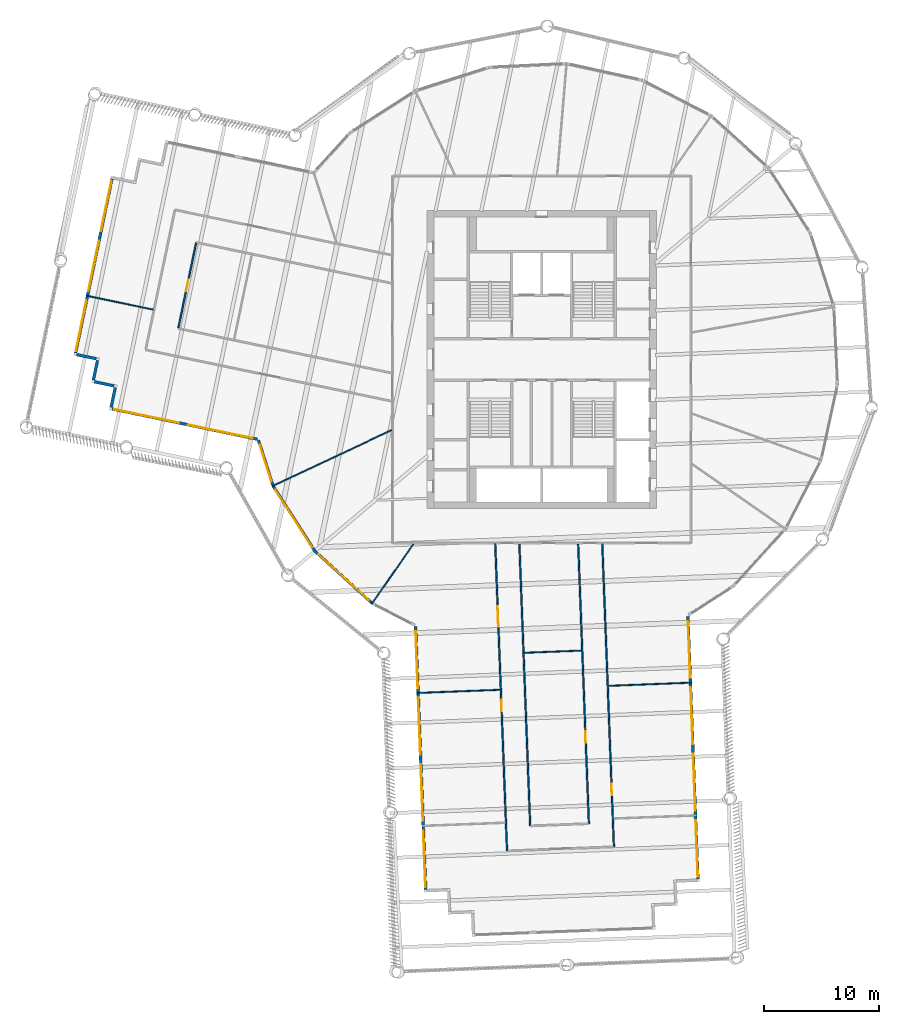
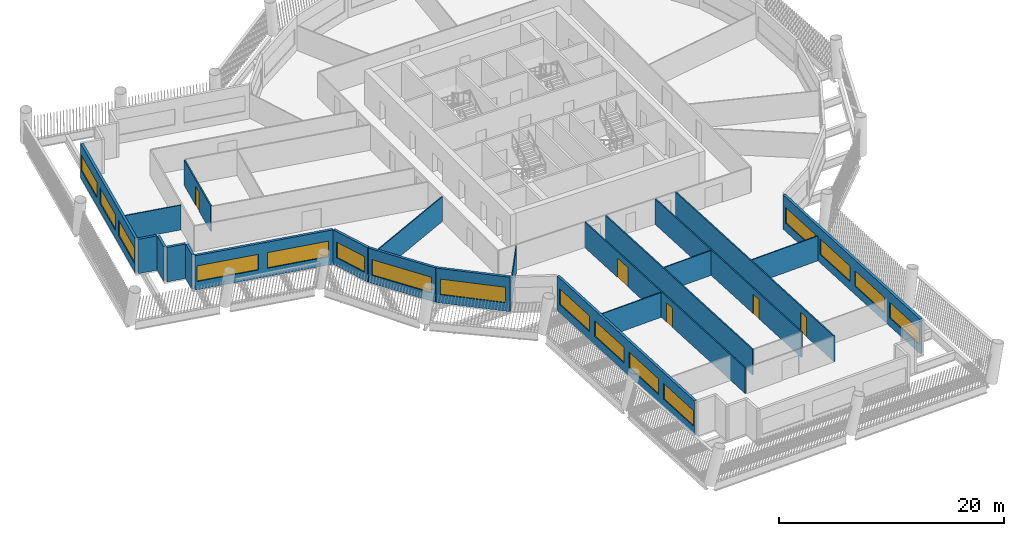
# One storey, part 3 of 14: 22 walls, 16 windows, 5 doors, 21 openings.
"""IFC4 building model written with IfcOpenShell, lengths in metres."""

from ifc_helpers import new_model, si_unit, direction, frame, frame_2d, origin, place, context, subcontext, project, spatial, rectangle, extrude, material, layer, layer_set, type_object, element, fill, save


model = new_model("IFC4")

# Units and contexts
model_context = context("Model", 3, precision=1e-05, world=origin(), true_north=direction((0.0, 1.0)))
body_context = subcontext(model_context, "Body", "Model", "MODEL_VIEW")
ifc_project = project(units=[si_unit("LENGTHUNIT", "METRE"), si_unit("AREAUNIT", "SQUARE_METRE"), si_unit("VOLUMEUNIT", "CUBIC_METRE"), si_unit("PLANEANGLEUNIT", "RADIAN"), si_unit("MASSUNIT", "GRAM", prefix="KILO")], contexts=[model_context])

# Site, building, storey
site_placement = place(None, origin())
site = spatial("IfcSite", under=ifc_project, at=site_placement, CompositionType="ELEMENT")
building_placement = place(site_placement, origin())
building = spatial("IfcBuilding", under=site, at=building_placement, Name="Tarsis Ring Headquarters", CompositionType="ELEMENT")
storey_placement = place(building_placement, frame((0.0, 0.0, 235.5)))
storey = spatial("IfcBuildingStorey", under=building, at=storey_placement, Name="L55", CompositionType="ELEMENT", Elevation=235.5)

# Walls
ifc_material_1 = material(Name="Gypsum board on steel studs", Category="steel")
ifc_layer_1 = layer(ifc_material_1, 0.10009765625)
ifc_layer_set_1 = layer_set([ifc_layer_1], Name="FL partition 100 unrated")
wall_type_1 = type_object("IfcWallType", Name="FL partition 100 unrated", PredefinedType="PARTITIONING", material=ifc_layer_set_1)
wall_1_placement = place(storey_placement, frame((-23.478271484375, -11.048095703125, 0.0), z_axis=(0.0, 0.0, 1.0), x_axis=(0.904822069945, 0.425789879801, 0.0)))
element("IfcWall", 1, at=wall_1_placement, inside=storey, type_object=wall_type_1, Name="Partition PW3", PredefinedType="PARTITIONING", context=body_context, shape_type="SweptSolid", body=[
    extrude(rectangle(XDim=11.500244140625, YDim=0.10009765625, at=frame_2d((5.75, 0.0))), origin(), (0.0, 0.0, 1.0), 2.699951171875),
])
for number, where, z_axis, x_axis, name in (
    (2, (5.825927734375, -28.437255859375, 0.0), (0.0, 0.0, 1.0), (0.999263221085, 0.038379877362, 0.0), "Partition PW3"),
    (3, (-10.842529296875, -29.0576171875, 0.0), (0.0, 0.0, 1.0), (0.999263221085, 0.038379877362, 0.0), "Partition PW3"),
):
    element("IfcWall", number, at=place(storey_placement, frame(where, z_axis=z_axis, x_axis=x_axis)), inside=storey, type_object=wall_type_1, Name=name, PredefinedType="PARTITIONING", context=body_context, shape_type="SweptSolid", body=[
        extrude(rectangle(XDim=7.219970703125, YDim=0.10009765625, at=frame_2d((3.60986328125, 0.0))), origin(), (0.0, 0.0, 1.0), 2.699951171875),
    ])
wall_2_placement = place(storey_placement, frame((-14.808837890625, -21.30712890625, 0.0), z_axis=(0.0, 0.0, 1.0), x_axis=(0.570693452675, 0.821163189064, 0.0)))
element("IfcWall", 4, at=wall_2_placement, inside=storey, type_object=wall_type_1, Name="Partition PW3", PredefinedType="PARTITIONING", context=body_context, shape_type="SweptSolid", body=[
    extrude(rectangle(XDim=6.363037109375, YDim=0.10009765625, at=frame_2d((3.181640625, 0.0))), origin(), (0.0, 0.0, 1.0), 2.699951171875),
])
wall_3_placement = place(storey_placement, frame((-39.65185546875, 5.555908203125, 0.0), z_axis=(0.0, 0.0, 1.0), x_axis=(0.978876166419, -0.204454031058, 0.0)))
element("IfcWall", 5, at=wall_3_placement, inside=storey, type_object=wall_type_1, Name="Partition PW3", PredefinedType="PARTITIONING", context=body_context, shape_type="SweptSolid", body=[
    extrude(rectangle(XDim=5.929931640625, YDim=0.10009765625, at=frame_2d((2.96484375, 0.0))), origin(), (0.0, 0.0, 1.0), 2.699951171875),
])
wall_4_placement = place(storey_placement, frame((-1.510009765625, -25.556884765625, 0.0), z_axis=(0.0, 0.0, 1.0), x_axis=(0.999261102216, 0.038435004864, 0.0)))
element("IfcWall", 6, at=wall_4_placement, inside=storey, type_object=wall_type_1, Name="Partition PW3", PredefinedType="PARTITIONING", context=body_context, shape_type="SweptSolid", body=[
    extrude(rectangle(XDim=4.97998046875, YDim=0.10009765625, at=frame_2d((2.489990234375, 0.0))), origin(), (0.0, 0.0, 1.0), 2.699951171875),
])

# Wall, openings, doors
ifc_layer_2 = layer(ifc_material_1, 0.125)
ifc_layer_set_2 = layer_set([ifc_layer_2], Name="FL partition 125 EI 60 H2770")
wall_type_2 = type_object("IfcWallType", Name="FL partition 125 EI 60 H2770", PredefinedType="PARTITIONING", material=ifc_layer_set_2)
wall_5_placement = place(storey_placement, frame((-4.048828125, -16.0, 0.0), z_axis=(0.0, 0.0, 1.0), x_axis=(0.038389799939, -0.999262839928, 0.0)))
wall_5 = element("IfcWall", 7, at=wall_5_placement, inside=storey, type_object=wall_type_2, Name="Partition PW1", PredefinedType="PARTITIONING", context=body_context, shape_type="SweptSolid", body=[
    extrude(rectangle(XDim=26.837158203125, YDim=0.125, at=frame_2d((13.41845703125, 0.0))), origin(), (0.0, 0.0, 1.0), 2.77001953125),
])
opening_1_placement = place(wall_5_placement, frame((13.675537109375, 0.0, 0.0)))
opening_1 = element("IfcOpeningElement", 8, at=opening_1_placement, cuts=wall_5, Name="Opening D55.12", PredefinedType="OPENING", context=body_context, shape_type="SweptSolid", body=[
    extrude(rectangle(XDim=1.0, YDim=2.10009765625, at=frame_2d((0.5, 1.050048828125))), frame((0.0, 0.072509765625, 0.0), z_axis=(0.0, -1.0, 0.0), x_axis=(1.0, 0.0, 0.0)), (0.0, 0.0, 1.0), 0.14501953125),
])
opening_2_placement = place(wall_5_placement, frame((5.494140625, 0.0, 0.0)))
opening_2 = element("IfcOpeningElement", 9, at=opening_2_placement, cuts=wall_5, Name="Opening D55.13", PredefinedType="OPENING", context=body_context, shape_type="SweptSolid", body=[
    extrude(rectangle(XDim=1.800048828125, YDim=2.10009765625, at=frame_2d((0.89990234375, 1.050048828125))), frame((0.0, 0.072509765625, 0.0), z_axis=(0.0, -1.0, 0.0), x_axis=(1.0, 0.0, 0.0)), (0.0, 0.0, 1.0), 0.14501953125),
])
ifc_material_2 = material(Name="Fire-rated timber door leaf in steel frame", Category="steel")
door_type_1 = type_object("IfcDoorType", Name="FL door FD60-1000", OperationType="NOTDEFINED", PredefinedType="DOOR", material=ifc_material_2)
door_1_placement = place(opening_1_placement, origin())
door_1 = element("IfcDoor", 10, at=door_1_placement, inside=storey, type_object=door_type_1, Name="Door D55.12", OperationType="SINGLE_SWING_LEFT", OverallHeight=2.10009765625, OverallWidth=1.0, PredefinedType="DOOR", context=body_context, shape_type="SweptSolid", body=[
    extrude(rectangle(XDim=1.0, YDim=2.10009765625, at=frame_2d((0.5, 1.050048828125))), frame((0.0, 0.02490234375, 0.0), z_axis=(0.0, -1.0, 0.0), x_axis=(1.0, 0.0, 0.0)), (0.0, 0.0, 1.0), 0.050048828125),
])
fill(opening_1, door_1)
door_type_2 = type_object("IfcDoorType", Name="FL door FD60-1800", OperationType="DOUBLE_DOOR_SINGLE_SWING", PredefinedType="DOOR", material=ifc_material_2)
door_2_placement = place(opening_2_placement, origin())
door_2 = element("IfcDoor", 11, at=door_2_placement, inside=storey, type_object=door_type_2, Name="Door D55.13", OperationType="DOUBLE_DOOR_SINGLE_SWING", OverallHeight=2.10009765625, OverallWidth=1.800048828125, PredefinedType="DOOR", context=body_context, shape_type="SweptSolid", body=[
    extrude(rectangle(XDim=1.800048828125, YDim=2.10009765625, at=frame_2d((0.89990234375, 1.050048828125))), frame((0.0, 0.02490234375, 0.0), z_axis=(0.0, -1.0, 0.0), x_axis=(1.0, 0.0, 0.0)), (0.0, 0.0, 1.0), 0.050048828125),
])
fill(opening_2, door_2)

# Wall, opening, door
wall_6_placement = place(storey_placement, frame((5.278076171875, -16.0, 0.0), z_axis=(0.0, 0.0, 1.0), x_axis=(0.038392401197, -0.999262739989, 0.0)))
wall_6 = element("IfcWall", 12, at=wall_6_placement, inside=storey, type_object=wall_type_2, Name="Partition PW1", PredefinedType="PARTITIONING", context=body_context, shape_type="SweptSolid", body=[
    extrude(rectangle(XDim=26.479248046875, YDim=0.125, at=frame_2d((13.23974609375, 0.0))), origin(), (0.0, 0.0, 1.0), 2.77001953125),
])
opening_3_placement = place(wall_6_placement, frame((20.969482421875, 0.0, 0.0)))
opening_3 = element("IfcOpeningElement", 13, at=opening_3_placement, cuts=wall_6, Name="Opening D55.10", PredefinedType="OPENING", context=body_context, shape_type="SweptSolid", body=[
    extrude(rectangle(XDim=1.0, YDim=2.10009765625, at=frame_2d((0.5, 1.050048828125))), frame((0.0, 0.072509765625, 0.0), z_axis=(0.0, -1.0, 0.0), x_axis=(1.0, 0.0, 0.0)), (0.0, 0.0, 1.0), 0.14501953125),
])
door_3_placement = place(opening_3_placement, origin())
door_3 = element("IfcDoor", 14, at=door_3_placement, inside=storey, type_object=door_type_1, Name="Door D55.10", OperationType="SINGLE_SWING_LEFT", OverallHeight=2.10009765625, OverallWidth=1.0, PredefinedType="DOOR", context=body_context, shape_type="SweptSolid", body=[
    extrude(rectangle(XDim=1.0, YDim=2.10009765625, at=frame_2d((0.5, 1.050048828125))), frame((0.0, 0.02490234375, 0.0), z_axis=(0.0, -1.0, 0.0), x_axis=(1.0, 0.0, 0.0)), (0.0, 0.0, 1.0), 0.050048828125),
])
fill(opening_3, door_3)

# Wall
wall_7_placement = place(storey_placement, frame((-1.944580078125, -16.06982421875, 0.0), z_axis=(0.0, 0.0, 1.0), x_axis=(0.038388504085, -0.999262889711, 0.0)))
element("IfcWall", 15, at=wall_7_placement, inside=storey, type_object=wall_type_2, Name="Partition PW1", PredefinedType="PARTITIONING", context=body_context, shape_type="SweptSolid", body=[
    extrude(rectangle(XDim=24.586669921875, YDim=0.125, at=frame_2d((12.29345703125, 0.0))), origin(), (0.0, 0.0, 1.0), 2.77001953125),
])

# Wall, opening, door
wall_8_placement = place(storey_placement, frame((3.17919921875, -16.06982421875, 0.0), z_axis=(0.0, 0.0, 1.0), x_axis=(0.038387759864, -0.999262918302, 0.0)))
wall_8 = element("IfcWall", 16, at=wall_8_placement, inside=storey, type_object=wall_type_2, Name="Partition PW1", PredefinedType="PARTITIONING", context=body_context, shape_type="SweptSolid", body=[
    extrude(rectangle(XDim=24.39013671875, YDim=0.125, at=frame_2d((12.195068359375, 0.0))), origin(), (0.0, 0.0, 1.0), 2.77001953125),
])
opening_4_placement = place(wall_8_placement, frame((16.3466796875, 0.0, 0.0)))
opening_4 = element("IfcOpeningElement", 17, at=opening_4_placement, cuts=wall_8, Name="Opening D55.18", PredefinedType="OPENING", context=body_context, shape_type="SweptSolid", body=[
    extrude(rectangle(XDim=1.0, YDim=2.10009765625, at=frame_2d((0.5, 1.050048828125))), frame((0.0, 0.072509765625, 0.0), z_axis=(0.0, -1.0, 0.0), x_axis=(1.0, 0.0, 0.0)), (0.0, 0.0, 1.0), 0.14501953125),
])
door_4_placement = place(opening_4_placement, origin())
door_4 = element("IfcDoor", 18, at=door_4_placement, inside=storey, type_object=door_type_1, Name="Door D55.18", OperationType="SINGLE_SWING_LEFT", OverallHeight=2.10009765625, OverallWidth=1.0, PredefinedType="DOOR", context=body_context, shape_type="SweptSolid", body=[
    extrude(rectangle(XDim=1.0, YDim=2.10009765625, at=frame_2d((0.5, 1.050048828125))), frame((0.0, 0.02490234375, 0.0), z_axis=(0.0, -1.0, 0.0), x_axis=(1.0, 0.0, 0.0)), (0.0, 0.0, 1.0), 0.050048828125),
])
fill(opening_4, door_4)

wall_9_placement = place(storey_placement, frame((-31.654296875, 2.761474609375, 0.0), z_axis=(0.0, 0.0, 1.0), x_axis=(0.204508929098, 0.978864698474, 0.0)))
wall_9 = element("IfcWall", 19, at=wall_9_placement, inside=storey, type_object=wall_type_2, Name="Partition PW1", PredefinedType="PARTITIONING", context=body_context, shape_type="SweptSolid", body=[
    extrude(rectangle(XDim=7.5400390625, YDim=0.125, at=frame_2d((3.77001953125, 0.0))), origin(), (0.0, 0.0, 1.0), 2.77001953125),
])
opening_5_placement = place(wall_9_placement, frame((3.27001953125, 0.0, 0.0)))
opening_5 = element("IfcOpeningElement", 20, at=opening_5_placement, cuts=wall_9, Name="Opening D55.16", PredefinedType="OPENING", context=body_context, shape_type="SweptSolid", body=[
    extrude(rectangle(XDim=1.0, YDim=2.10009765625, at=frame_2d((0.5, 1.050048828125))), frame((0.0, 0.072509765625, 0.0), z_axis=(0.0, -1.0, 0.0), x_axis=(1.0, 0.0, 0.0)), (0.0, 0.0, 1.0), 0.14501953125),
])
door_5_placement = place(opening_5_placement, origin())
door_5 = element("IfcDoor", 21, at=door_5_placement, inside=storey, type_object=door_type_1, Name="Door D55.16", OperationType="SINGLE_SWING_LEFT", OverallHeight=2.10009765625, OverallWidth=1.0, PredefinedType="DOOR", context=body_context, shape_type="SweptSolid", body=[
    extrude(rectangle(XDim=1.0, YDim=2.10009765625, at=frame_2d((0.5, 1.050048828125))), frame((0.0, 0.02490234375, 0.0), z_axis=(0.0, -1.0, 0.0), x_axis=(1.0, 0.0, 0.0)), (0.0, 0.0, 1.0), 0.050048828125),
])
fill(opening_5, door_5)

# Wall, openings, windows
ifc_material_3 = material(Name="Terracotta clad insulated panel wall", Category="masonry")
ifc_layer_3 = layer(ifc_material_3, 0.25)
ifc_layer_set_3 = layer_set([ifc_layer_3], Name="Facade wall terracotta panel 250")
wall_type_3 = type_object("IfcWallType", Name="Facade wall terracotta panel 250", PredefinedType="STANDARD", material=ifc_layer_set_3)
wall_10_placement = place(storey_placement, frame((-37.4228515625, -4.313232421875, 0.0), z_axis=(0.0, 0.0, 1.0), x_axis=(0.978866151728, -0.2045019731, 0.0)))
wall_10 = element("IfcWall", 22, at=wall_10_placement, inside=storey, type_object=wall_type_3, Name="External wall L55-01", PredefinedType="STANDARD", context=body_context, shape_type="SweptSolid", body=[
    extrude(rectangle(XDim=12.922119140625, YDim=0.25, at=frame_2d((6.4609375, 0.0))), origin(), (0.0, 0.0, 1.0), 3.739990234375),
])
opening_6_placement = place(wall_10_placement, frame((0.16796875, 0.0, 0.89990234375)))
opening_6 = element("IfcOpeningElement", 23, at=opening_6_placement, cuts=wall_10, Name="Opening WN06", PredefinedType="OPENING", context=body_context, shape_type="SweptSolid", body=[
    extrude(rectangle(XDim=5.75, YDim=1.699951171875, at=frame_2d((2.875, 0.85009765625))), frame((0.0, 0.135009765625, 0.0), z_axis=(0.0, -1.0, 0.0), x_axis=(1.0, 0.0, 0.0)), (0.0, 0.0, 1.0), 0.27001953125),
])
opening_7_placement = place(wall_10_placement, frame((6.75390625, 0.0, 0.89990234375)))
opening_7 = element("IfcOpeningElement", 24, at=opening_7_placement, cuts=wall_10, Name="Opening WN06", PredefinedType="OPENING", context=body_context, shape_type="SweptSolid", body=[
    extrude(rectangle(XDim=5.75, YDim=1.699951171875, at=frame_2d((2.875, 0.85009765625))), frame((0.0, 0.135009765625, 0.0), z_axis=(0.0, -1.0, 0.0), x_axis=(1.0, 0.0, 0.0)), (0.0, 0.0, 1.0), 0.27001953125),
])
ifc_material_4 = material(Name="Aluminium framed double glazing", Category="aluminium")
window_type_1 = type_object("IfcWindowType", Name="Facade window 5750 x 1700", PartitioningType="SINGLE_PANEL", PredefinedType="WINDOW", material=ifc_material_4)
window_1_placement = place(opening_6_placement, origin())
window_1 = element("IfcWindow", 25, at=window_1_placement, inside=storey, type_object=window_type_1, Name="Window L55-01.1", OverallHeight=1.699951171875, OverallWidth=5.75, PartitioningType="SINGLE_PANEL", PredefinedType="WINDOW", context=body_context, shape_type="SweptSolid", body=[
    extrude(rectangle(XDim=5.75, YDim=1.699951171875, at=frame_2d((2.875, 0.85009765625))), frame((0.0, 0.030029296875, 0.0), z_axis=(0.0, -1.0, 0.0), x_axis=(1.0, 0.0, 0.0)), (0.0, 0.0, 1.0), 0.06005859375),
])
fill(opening_6, window_1)
window_2_placement = place(opening_7_placement, origin())
window_2 = element("IfcWindow", 26, at=window_2_placement, inside=storey, type_object=window_type_1, Name="Window L55-01.2", OverallHeight=1.699951171875, OverallWidth=5.75, PartitioningType="SINGLE_PANEL", PredefinedType="WINDOW", context=body_context, shape_type="SweptSolid", body=[
    extrude(rectangle(XDim=5.75, YDim=1.699951171875, at=frame_2d((2.875, 0.85009765625))), frame((0.0, 0.030029296875, 0.0), z_axis=(0.0, -1.0, 0.0), x_axis=(1.0, 0.0, 0.0)), (0.0, 0.0, 1.0), 0.06005859375),
])
fill(opening_7, window_2)

# Wall, opening, window
wall_11_placement = place(storey_placement, frame((-24.680419921875, -7.040283203125, 0.0), z_axis=(0.0, 0.0, 1.0), x_axis=(0.30401069135, -0.952668620006, 0.0)))
wall_11 = element("IfcWall", 27, at=wall_11_placement, inside=storey, type_object=wall_type_3, Name="External wall L55-02", PredefinedType="STANDARD", context=body_context, shape_type="SweptSolid", body=[
    extrude(rectangle(XDim=4.157470703125, YDim=0.25, at=frame_2d((2.07861328125, 0.0))), origin(), (0.0, 0.0, 1.0), 3.739990234375),
])
opening_8_placement = place(wall_11_placement, frame((0.420166015625, 0.0, 0.89990234375)))
opening_8 = element("IfcOpeningElement", 28, at=opening_8_placement, cuts=wall_11, Name="Opening WN01", PredefinedType="OPENING", context=body_context, shape_type="SweptSolid", body=[
    extrude(rectangle(XDim=3.35009765625, YDim=1.699951171875, at=frame_2d((1.675048828125, 0.85009765625))), frame((0.0, 0.135009765625, 0.0), z_axis=(0.0, -1.0, 0.0), x_axis=(1.0, 0.0, 0.0)), (0.0, 0.0, 1.0), 0.27001953125),
])
window_type_2 = type_object("IfcWindowType", Name="Facade window 3350 x 1700", PartitioningType="SINGLE_PANEL", PredefinedType="WINDOW", material=ifc_material_4)
window_3_placement = place(opening_8_placement, origin())
window_3 = element("IfcWindow", 29, at=window_3_placement, inside=storey, type_object=window_type_2, Name="Window L55-02.1", OverallHeight=1.699951171875, OverallWidth=3.35009765625, PartitioningType="SINGLE_PANEL", PredefinedType="WINDOW", context=body_context, shape_type="SweptSolid", body=[
    extrude(rectangle(XDim=3.35009765625, YDim=1.699951171875, at=frame_2d((1.675048828125, 0.85009765625))), frame((0.0, 0.030029296875, 0.0), z_axis=(0.0, -1.0, 0.0), x_axis=(1.0, 0.0, 0.0)), (0.0, 0.0, 1.0), 0.06005859375),
])
fill(opening_8, window_3)

wall_12_placement = place(storey_placement, frame((-23.402587890625, -11.030517578125, 0.0), z_axis=(0.0, 0.0, 1.0), x_axis=(0.54025082343, -0.841504039077, 0.0)))
wall_12 = element("IfcWall", 30, at=wall_12_placement, inside=storey, type_object=wall_type_3, Name="External wall L55-03", PredefinedType="STANDARD", context=body_context, shape_type="SweptSolid", body=[
    extrude(rectangle(XDim=6.7216796875, YDim=0.25, at=frame_2d((3.36083984375, 0.0))), origin(), (0.0, 0.0, 1.0), 3.739990234375),
])
opening_9_placement = place(wall_12_placement, frame((0.3857421875, 0.0, 0.89990234375)))
opening_9 = element("IfcOpeningElement", 31, at=opening_9_placement, cuts=wall_12, Name="Opening WN07", PredefinedType="OPENING", context=body_context, shape_type="SweptSolid", body=[
    extrude(rectangle(XDim=5.949951171875, YDim=1.699951171875, at=frame_2d((2.97509765625, 0.85009765625))), frame((0.0, 0.135009765625, 0.0), z_axis=(0.0, -1.0, 0.0), x_axis=(1.0, 0.0, 0.0)), (0.0, 0.0, 1.0), 0.27001953125),
])
window_type_3 = type_object("IfcWindowType", Name="Facade window 5950 x 1700", PartitioningType="SINGLE_PANEL", PredefinedType="WINDOW", material=ifc_material_4)
window_4_placement = place(opening_9_placement, origin())
window_4 = element("IfcWindow", 32, at=window_4_placement, inside=storey, type_object=window_type_3, Name="Window L55-03.1", OverallHeight=1.699951171875, OverallWidth=5.949951171875, PartitioningType="SINGLE_PANEL", PredefinedType="WINDOW", context=body_context, shape_type="SweptSolid", body=[
    extrude(rectangle(XDim=5.949951171875, YDim=1.699951171875, at=frame_2d((2.97509765625, 0.85009765625))), frame((0.0, 0.030029296875, 0.0), z_axis=(0.0, -1.0, 0.0), x_axis=(1.0, 0.0, 0.0)), (0.0, 0.0, 1.0), 0.06005859375),
])
fill(opening_9, window_4)

wall_13_placement = place(storey_placement, frame((-19.750244140625, -16.711669921875, 0.0), z_axis=(0.0, 0.0, 1.0), x_axis=(0.739629365562, -0.673014414109, 0.0)))
wall_13 = element("IfcWall", 33, at=wall_13_placement, inside=storey, type_object=wall_type_3, Name="External wall L55-04", PredefinedType="STANDARD", context=body_context, shape_type="SweptSolid", body=[
    extrude(rectangle(XDim=6.721435546875, YDim=0.25, at=frame_2d((3.36083984375, 0.0))), origin(), (0.0, 0.0, 1.0), 3.739990234375),
])
opening_10_placement = place(wall_13_placement, frame((0.3857421875, 0.0, 0.89990234375)))
opening_10 = element("IfcOpeningElement", 34, at=opening_10_placement, cuts=wall_13, Name="Opening WN07", PredefinedType="OPENING", context=body_context, shape_type="SweptSolid", body=[
    extrude(rectangle(XDim=5.949951171875, YDim=1.699951171875, at=frame_2d((2.97509765625, 0.85009765625))), frame((0.0, 0.135009765625, 0.0), z_axis=(0.0, -1.0, 0.0), x_axis=(1.0, 0.0, 0.0)), (0.0, 0.0, 1.0), 0.27001953125),
])
window_5_placement = place(opening_10_placement, origin())
window_5 = element("IfcWindow", 35, at=window_5_placement, inside=storey, type_object=window_type_3, Name="Window L55-04.1", OverallHeight=1.699951171875, OverallWidth=5.949951171875, PartitioningType="SINGLE_PANEL", PredefinedType="WINDOW", context=body_context, shape_type="SweptSolid", body=[
    extrude(rectangle(XDim=5.949951171875, YDim=1.699951171875, at=frame_2d((2.97509765625, 0.85009765625))), frame((0.0, 0.030029296875, 0.0), z_axis=(0.0, -1.0, 0.0), x_axis=(1.0, 0.0, 0.0)), (0.0, 0.0, 1.0), 0.06005859375),
])
fill(opening_10, window_5)

# Wall, openings, windows
wall_14_placement = place(storey_placement, frame((-10.989990234375, -23.26708984375, 0.0), z_axis=(0.0, 0.0, 1.0), x_axis=(0.038386081603, -0.999262982772, 0.0)))
wall_14 = element("IfcWall", 36, at=wall_14_placement, inside=storey, type_object=wall_type_3, Name="External wall L55-06", PredefinedType="STANDARD", context=body_context, shape_type="SweptSolid", body=[
    extrude(rectangle(XDim=22.921875, YDim=0.25, at=frame_2d((11.4609375, 0.0))), origin(), (0.0, 0.0, 1.0), 3.739990234375),
])
opening_11_placement = place(wall_14_placement, frame((0.42138671875, 0.0, 0.89990234375)))
opening_11 = element("IfcOpeningElement", 37, at=opening_11_placement, cuts=wall_14, Name="Opening WN05", PredefinedType="OPENING", context=body_context, shape_type="SweptSolid", body=[
    extrude(rectangle(XDim=4.949951171875, YDim=1.699951171875, at=frame_2d((2.47509765625, 0.85009765625))), frame((0.0, 0.135009765625, 0.0), z_axis=(0.0, -1.0, 0.0), x_axis=(1.0, 0.0, 0.0)), (0.0, 0.0, 1.0), 0.27001953125),
])
opening_12_placement = place(wall_14_placement, frame((6.214599609375, 0.0, 0.89990234375)))
opening_12 = element("IfcOpeningElement", 38, at=opening_12_placement, cuts=wall_14, Name="Opening WN05", PredefinedType="OPENING", context=body_context, shape_type="SweptSolid", body=[
    extrude(rectangle(XDim=4.949951171875, YDim=1.699951171875, at=frame_2d((2.47509765625, 0.85009765625))), frame((0.0, 0.135009765625, 0.0), z_axis=(0.0, -1.0, 0.0), x_axis=(1.0, 0.0, 0.0)), (0.0, 0.0, 1.0), 0.27001953125),
])
opening_13_placement = place(wall_14_placement, frame((12.007568359375, 0.0, 0.89990234375)))
opening_13 = element("IfcOpeningElement", 39, at=opening_13_placement, cuts=wall_14, Name="Opening WN05", PredefinedType="OPENING", context=body_context, shape_type="SweptSolid", body=[
    extrude(rectangle(XDim=4.949951171875, YDim=1.699951171875, at=frame_2d((2.47509765625, 0.85009765625))), frame((0.0, 0.135009765625, 0.0), z_axis=(0.0, -1.0, 0.0), x_axis=(1.0, 0.0, 0.0)), (0.0, 0.0, 1.0), 0.27001953125),
])
opening_14_placement = place(wall_14_placement, frame((17.800537109375, 0.0, 0.89990234375)))
opening_14 = element("IfcOpeningElement", 40, at=opening_14_placement, cuts=wall_14, Name="Opening WN05", PredefinedType="OPENING", context=body_context, shape_type="SweptSolid", body=[
    extrude(rectangle(XDim=4.949951171875, YDim=1.699951171875, at=frame_2d((2.47509765625, 0.85009765625))), frame((0.0, 0.135009765625, 0.0), z_axis=(0.0, -1.0, 0.0), x_axis=(1.0, 0.0, 0.0)), (0.0, 0.0, 1.0), 0.27001953125),
])
window_type_4 = type_object("IfcWindowType", Name="Facade window 4950 x 1700", PartitioningType="SINGLE_PANEL", PredefinedType="WINDOW", material=ifc_material_4)
window_6_placement = place(opening_11_placement, origin())
window_6 = element("IfcWindow", 41, at=window_6_placement, inside=storey, type_object=window_type_4, Name="Window L55-06.1", OverallHeight=1.699951171875, OverallWidth=4.949951171875, PartitioningType="SINGLE_PANEL", PredefinedType="WINDOW", context=body_context, shape_type="SweptSolid", body=[
    extrude(rectangle(XDim=4.949951171875, YDim=1.699951171875, at=frame_2d((2.47509765625, 0.85009765625))), frame((0.0, 0.030029296875, 0.0), z_axis=(0.0, -1.0, 0.0), x_axis=(1.0, 0.0, 0.0)), (0.0, 0.0, 1.0), 0.06005859375),
])
fill(opening_11, window_6)
window_7_placement = place(opening_12_placement, origin())
window_7 = element("IfcWindow", 42, at=window_7_placement, inside=storey, type_object=window_type_4, Name="Window L55-06.2", OverallHeight=1.699951171875, OverallWidth=4.949951171875, PartitioningType="SINGLE_PANEL", PredefinedType="WINDOW", context=body_context, shape_type="SweptSolid", body=[
    extrude(rectangle(XDim=4.949951171875, YDim=1.699951171875, at=frame_2d((2.47509765625, 0.85009765625))), frame((0.0, 0.030029296875, 0.0), z_axis=(0.0, -1.0, 0.0), x_axis=(1.0, 0.0, 0.0)), (0.0, 0.0, 1.0), 0.06005859375),
])
fill(opening_12, window_7)
window_8_placement = place(opening_13_placement, origin())
window_8 = element("IfcWindow", 43, at=window_8_placement, inside=storey, type_object=window_type_4, Name="Window L55-06.3", OverallHeight=1.699951171875, OverallWidth=4.949951171875, PartitioningType="SINGLE_PANEL", PredefinedType="WINDOW", context=body_context, shape_type="SweptSolid", body=[
    extrude(rectangle(XDim=4.949951171875, YDim=1.699951171875, at=frame_2d((2.47509765625, 0.85009765625))), frame((0.0, 0.030029296875, 0.0), z_axis=(0.0, -1.0, 0.0), x_axis=(1.0, 0.0, 0.0)), (0.0, 0.0, 1.0), 0.06005859375),
])
fill(opening_13, window_8)
window_9_placement = place(opening_14_placement, origin())
window_9 = element("IfcWindow", 44, at=window_9_placement, inside=storey, type_object=window_type_4, Name="Window L55-06.4", OverallHeight=1.699951171875, OverallWidth=4.949951171875, PartitioningType="SINGLE_PANEL", PredefinedType="WINDOW", context=body_context, shape_type="SweptSolid", body=[
    extrude(rectangle(XDim=4.949951171875, YDim=1.699951171875, at=frame_2d((2.47509765625, 0.85009765625))), frame((0.0, 0.030029296875, 0.0), z_axis=(0.0, -1.0, 0.0), x_axis=(1.0, 0.0, 0.0)), (0.0, 0.0, 1.0), 0.06005859375),
])
fill(opening_14, window_9)

wall_15_placement = place(storey_placement, frame((13.62255859375, -45.260498046875, 0.0), z_axis=(0.0, 0.0, 1.0), x_axis=(-0.03838849594, 0.999262890024, 0.0)))
wall_15 = element("IfcWall", 45, at=wall_15_placement, inside=storey, type_object=wall_type_3, Name="External wall L55-16", PredefinedType="STANDARD", context=body_context, shape_type="SweptSolid", body=[
    extrude(rectangle(XDim=22.9013671875, YDim=0.25, at=frame_2d((11.45068359375, 0.0))), origin(), (0.0, 0.0, 1.0), 3.739990234375),
])
opening_15_placement = place(wall_15_placement, frame((0.1689453125, 0.0, 0.89990234375)))
opening_15 = element("IfcOpeningElement", 46, at=opening_15_placement, cuts=wall_15, Name="Opening WN05", PredefinedType="OPENING", context=body_context, shape_type="SweptSolid", body=[
    extrude(rectangle(XDim=4.949951171875, YDim=1.699951171875, at=frame_2d((2.47509765625, 0.85009765625))), frame((0.0, 0.135009765625, 0.0), z_axis=(0.0, -1.0, 0.0), x_axis=(1.0, 0.0, 0.0)), (0.0, 0.0, 1.0), 0.27001953125),
])
opening_16_placement = place(wall_15_placement, frame((5.956787109375, 0.0, 0.89990234375)))
opening_16 = element("IfcOpeningElement", 47, at=opening_16_placement, cuts=wall_15, Name="Opening WN05", PredefinedType="OPENING", context=body_context, shape_type="SweptSolid", body=[
    extrude(rectangle(XDim=4.949951171875, YDim=1.699951171875, at=frame_2d((2.47509765625, 0.85009765625))), frame((0.0, 0.135009765625, 0.0), z_axis=(0.0, -1.0, 0.0), x_axis=(1.0, 0.0, 0.0)), (0.0, 0.0, 1.0), 0.27001953125),
])
opening_17_placement = place(wall_15_placement, frame((11.74462890625, 0.0, 0.89990234375)))
opening_17 = element("IfcOpeningElement", 48, at=opening_17_placement, cuts=wall_15, Name="Opening WN05", PredefinedType="OPENING", context=body_context, shape_type="SweptSolid", body=[
    extrude(rectangle(XDim=4.949951171875, YDim=1.699951171875, at=frame_2d((2.47509765625, 0.85009765625))), frame((0.0, 0.135009765625, 0.0), z_axis=(0.0, -1.0, 0.0), x_axis=(1.0, 0.0, 0.0)), (0.0, 0.0, 1.0), 0.27001953125),
])
opening_18_placement = place(wall_15_placement, frame((17.532470703125, 0.0, 0.89990234375)))
opening_18 = element("IfcOpeningElement", 49, at=opening_18_placement, cuts=wall_15, Name="Opening WN05", PredefinedType="OPENING", context=body_context, shape_type="SweptSolid", body=[
    extrude(rectangle(XDim=4.949951171875, YDim=1.699951171875, at=frame_2d((2.47509765625, 0.85009765625))), frame((0.0, 0.135009765625, 0.0), z_axis=(0.0, -1.0, 0.0), x_axis=(1.0, 0.0, 0.0)), (0.0, 0.0, 1.0), 0.27001953125),
])
window_10_placement = place(opening_15_placement, origin())
window_10 = element("IfcWindow", 50, at=window_10_placement, inside=storey, type_object=window_type_4, Name="Window L55-16.1", OverallHeight=1.699951171875, OverallWidth=4.949951171875, PartitioningType="SINGLE_PANEL", PredefinedType="WINDOW", context=body_context, shape_type="SweptSolid", body=[
    extrude(rectangle(XDim=4.949951171875, YDim=1.699951171875, at=frame_2d((2.47509765625, 0.85009765625))), frame((0.0, 0.030029296875, 0.0), z_axis=(0.0, -1.0, 0.0), x_axis=(1.0, 0.0, 0.0)), (0.0, 0.0, 1.0), 0.06005859375),
])
fill(opening_15, window_10)
window_11_placement = place(opening_16_placement, origin())
window_11 = element("IfcWindow", 51, at=window_11_placement, inside=storey, type_object=window_type_4, Name="Window L55-16.2", OverallHeight=1.699951171875, OverallWidth=4.949951171875, PartitioningType="SINGLE_PANEL", PredefinedType="WINDOW", context=body_context, shape_type="SweptSolid", body=[
    extrude(rectangle(XDim=4.949951171875, YDim=1.699951171875, at=frame_2d((2.47509765625, 0.85009765625))), frame((0.0, 0.030029296875, 0.0), z_axis=(0.0, -1.0, 0.0), x_axis=(1.0, 0.0, 0.0)), (0.0, 0.0, 1.0), 0.06005859375),
])
fill(opening_16, window_11)
window_12_placement = place(opening_17_placement, origin())
window_12 = element("IfcWindow", 52, at=window_12_placement, inside=storey, type_object=window_type_4, Name="Window L55-16.3", OverallHeight=1.699951171875, OverallWidth=4.949951171875, PartitioningType="SINGLE_PANEL", PredefinedType="WINDOW", context=body_context, shape_type="SweptSolid", body=[
    extrude(rectangle(XDim=4.949951171875, YDim=1.699951171875, at=frame_2d((2.47509765625, 0.85009765625))), frame((0.0, 0.030029296875, 0.0), z_axis=(0.0, -1.0, 0.0), x_axis=(1.0, 0.0, 0.0)), (0.0, 0.0, 1.0), 0.06005859375),
])
fill(opening_17, window_12)
window_13_placement = place(opening_18_placement, origin())
window_13 = element("IfcWindow", 53, at=window_13_placement, inside=storey, type_object=window_type_4, Name="Window L55-16.4", OverallHeight=1.699951171875, OverallWidth=4.949951171875, PartitioningType="SINGLE_PANEL", PredefinedType="WINDOW", context=body_context, shape_type="SweptSolid", body=[
    extrude(rectangle(XDim=4.949951171875, YDim=1.699951171875, at=frame_2d((2.47509765625, 0.85009765625))), frame((0.0, 0.030029296875, 0.0), z_axis=(0.0, -1.0, 0.0), x_axis=(1.0, 0.0, 0.0)), (0.0, 0.0, 1.0), 0.06005859375),
])
fill(opening_18, window_13)

wall_16_placement = place(storey_placement, frame((-37.447509765625, 15.740478515625, 0.0), z_axis=(0.0, 0.0, 1.0), x_axis=(-0.204496416799, -0.978867312518, 0.0)))
wall_16 = element("IfcWall", 54, at=wall_16_placement, inside=storey, type_object=wall_type_3, Name="External wall L55-36", PredefinedType="STANDARD", context=body_context, shape_type="SweptSolid", body=[
    extrude(rectangle(XDim=15.5, YDim=0.25, at=frame_2d((7.75, 0.0))), origin(), (0.0, 0.0, 1.0), 3.739990234375),
])
opening_19_placement = place(wall_16_placement, frame((0.166748046875, 0.0, 0.89990234375)))
opening_19 = element("IfcOpeningElement", 55, at=opening_19_placement, cuts=wall_16, Name="Opening WN04", PredefinedType="OPENING", context=body_context, shape_type="SweptSolid", body=[
    extrude(rectangle(XDim=4.5, YDim=1.699951171875, at=frame_2d((2.25, 0.85009765625))), frame((0.0, 0.135009765625, 0.0), z_axis=(0.0, -1.0, 0.0), x_axis=(1.0, 0.0, 0.0)), (0.0, 0.0, 1.0), 0.27001953125),
])
opening_20_placement = place(wall_16_placement, frame((5.5, 0.0, 0.89990234375)))
opening_20 = element("IfcOpeningElement", 56, at=opening_20_placement, cuts=wall_16, Name="Opening WN04", PredefinedType="OPENING", context=body_context, shape_type="SweptSolid", body=[
    extrude(rectangle(XDim=4.5, YDim=1.699951171875, at=frame_2d((2.25, 0.85009765625))), frame((0.0, 0.135009765625, 0.0), z_axis=(0.0, -1.0, 0.0), x_axis=(1.0, 0.0, 0.0)), (0.0, 0.0, 1.0), 0.27001953125),
])
opening_21_placement = place(wall_16_placement, frame((10.833251953125, 0.0, 0.89990234375)))
opening_21 = element("IfcOpeningElement", 57, at=opening_21_placement, cuts=wall_16, Name="Opening WN04", PredefinedType="OPENING", context=body_context, shape_type="SweptSolid", body=[
    extrude(rectangle(XDim=4.5, YDim=1.699951171875, at=frame_2d((2.25, 0.85009765625))), frame((0.0, 0.135009765625, 0.0), z_axis=(0.0, -1.0, 0.0), x_axis=(1.0, 0.0, 0.0)), (0.0, 0.0, 1.0), 0.27001953125),
])
window_type_5 = type_object("IfcWindowType", Name="Facade window 4500 x 1700", PartitioningType="SINGLE_PANEL", PredefinedType="WINDOW", material=ifc_material_4)
window_14_placement = place(opening_19_placement, origin())
window_14 = element("IfcWindow", 58, at=window_14_placement, inside=storey, type_object=window_type_5, Name="Window L55-36.1", OverallHeight=1.699951171875, OverallWidth=4.5, PartitioningType="SINGLE_PANEL", PredefinedType="WINDOW", context=body_context, shape_type="SweptSolid", body=[
    extrude(rectangle(XDim=4.5, YDim=1.699951171875, at=frame_2d((2.25, 0.85009765625))), frame((0.0, 0.030029296875, 0.0), z_axis=(0.0, -1.0, 0.0), x_axis=(1.0, 0.0, 0.0)), (0.0, 0.0, 1.0), 0.06005859375),
])
fill(opening_19, window_14)
window_15_placement = place(opening_20_placement, origin())
window_15 = element("IfcWindow", 59, at=window_15_placement, inside=storey, type_object=window_type_5, Name="Window L55-36.2", OverallHeight=1.699951171875, OverallWidth=4.5, PartitioningType="SINGLE_PANEL", PredefinedType="WINDOW", context=body_context, shape_type="SweptSolid", body=[
    extrude(rectangle(XDim=4.5, YDim=1.699951171875, at=frame_2d((2.25, 0.85009765625))), frame((0.0, 0.030029296875, 0.0), z_axis=(0.0, -1.0, 0.0), x_axis=(1.0, 0.0, 0.0)), (0.0, 0.0, 1.0), 0.06005859375),
])
fill(opening_20, window_15)
window_16_placement = place(opening_21_placement, origin())
window_16 = element("IfcWindow", 60, at=window_16_placement, inside=storey, type_object=window_type_5, Name="Window L55-36.3", OverallHeight=1.699951171875, OverallWidth=4.5, PartitioningType="SINGLE_PANEL", PredefinedType="WINDOW", context=body_context, shape_type="SweptSolid", body=[
    extrude(rectangle(XDim=4.5, YDim=1.699951171875, at=frame_2d((2.25, 0.85009765625))), frame((0.0, 0.030029296875, 0.0), z_axis=(0.0, -1.0, 0.0), x_axis=(1.0, 0.0, 0.0)), (0.0, 0.0, 1.0), 0.06005859375),
])
fill(opening_21, window_16)

# Walls
for number, where, z_axis, x_axis, name in (
    (61, (-40.520263671875, 0.420166015625, 0.0), (0.0, 0.0, 1.0), (0.978859533701, -0.20453364829, 0.0), "External wall L55-37"),
    (62, (-38.71044921875, -0.085693359375, 0.0), (0.0, 0.0, 1.0), (-0.20453364829, -0.978859533701, 0.0), "External wall L55-38"),
):
    element("IfcWall", number, at=place(storey_placement, frame(where, z_axis=z_axis, x_axis=x_axis)), inside=storey, type_object=wall_type_3, Name=name, PredefinedType="STANDARD", context=body_context, shape_type="SweptSolid", body=[
        extrude(rectangle(XDim=1.75, YDim=0.25, at=frame_2d((0.875, 0.0))), origin(), (0.0, 0.0, 1.0), 3.739990234375),
    ])
wall_17_placement = place(storey_placement, frame((-38.9716796875, -1.946533203125, 0.0), z_axis=(0.0, 0.0, 1.0), x_axis=(0.978865369111, -0.204505719127, 0.0)))
element("IfcWall", 63, at=wall_17_placement, inside=storey, type_object=wall_type_3, Name="External wall L55-39", PredefinedType="STANDARD", context=body_context, shape_type="SweptSolid", body=[
    extrude(rectangle(XDim=1.750244140625, YDim=0.25, at=frame_2d((0.875, 0.0))), origin(), (0.0, 0.0, 1.0), 3.739990234375),
])
wall_18_placement = place(storey_placement, frame((-37.161865234375, -2.452392578125, 0.0), z_axis=(0.0, 0.0, 1.0), x_axis=(-0.20453364829, -0.978859533701, 0.0)))
element("IfcWall", 64, at=wall_18_placement, inside=storey, type_object=wall_type_3, Name="External wall L55-40", PredefinedType="STANDARD", context=body_context, shape_type="SweptSolid", body=[
    extrude(rectangle(XDim=1.75, YDim=0.25, at=frame_2d((0.875, 0.0))), origin(), (0.0, 0.0, 1.0), 3.739990234375),
])

save(model, "model.ifc")
